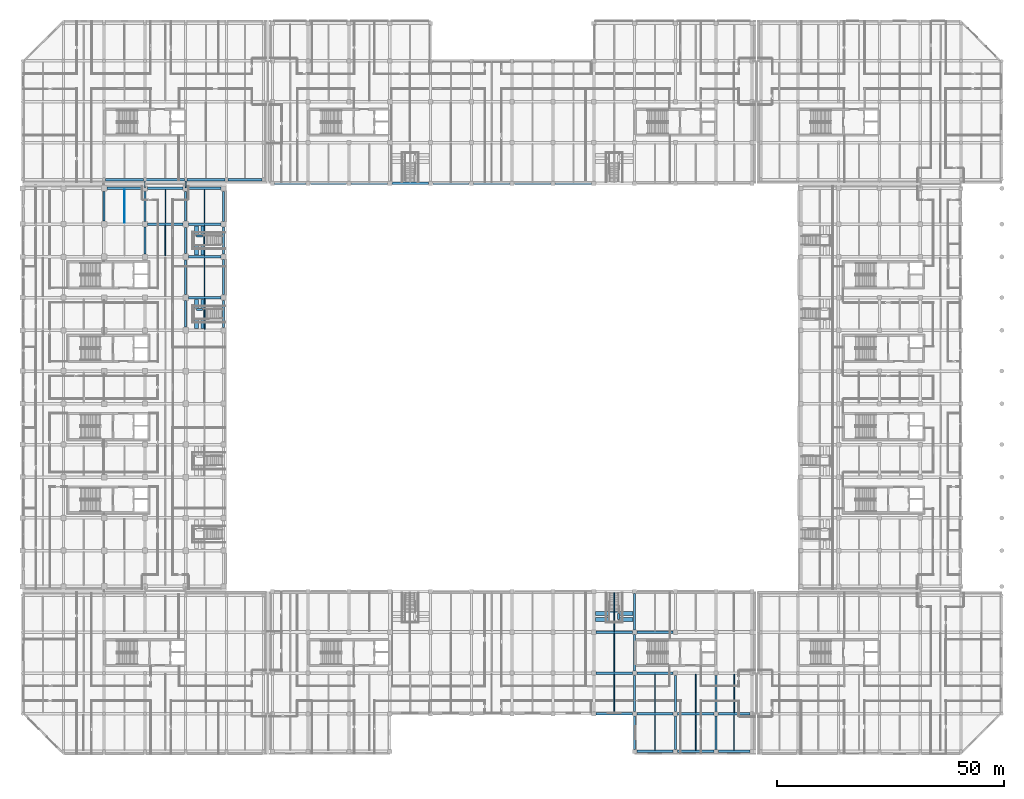
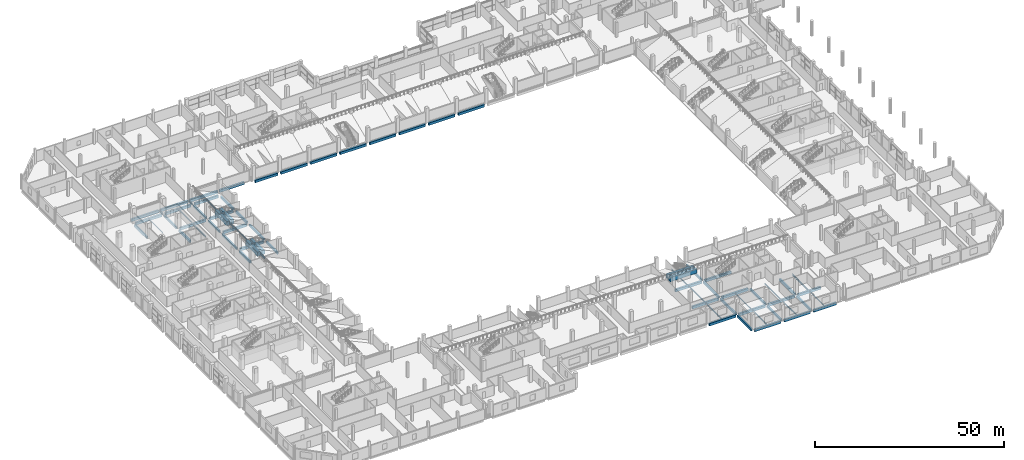
# One storey, part 19 of 100: 76 beams.
"""IFC4 building model written with IfcOpenShell, lengths in metres."""

from ifc_helpers import new_model, si_unit, direction, frame, origin, origin_2d, place, context, subcontext, project, spatial, rectangle, i_section, extrude, material, material_profile, profile_set, type_object, element, save


model = new_model("IFC4")

# Units and contexts
model_context = context("Model", 3, precision=1e-05, world=origin(), true_north=direction((0.0, 1.0)))
body_context = subcontext(model_context, "Body", "Model", "MODEL_VIEW")
ifc_project = project(units=[si_unit("LENGTHUNIT", "METRE"), si_unit("AREAUNIT", "SQUARE_METRE"), si_unit("VOLUMEUNIT", "CUBIC_METRE"), si_unit("PLANEANGLEUNIT", "RADIAN"), si_unit("MASSUNIT", "GRAM", prefix="KILO"), si_unit("THERMODYNAMICTEMPERATUREUNIT", "KELVIN"), si_unit("POWERUNIT", "WATT")], contexts=[model_context])

# Site, building, storey
site_placement = place(None, origin())
site = spatial("IfcSite", under=ifc_project, at=site_placement, CompositionType="ELEMENT")
building_placement = place(site_placement, origin())
building = spatial("IfcBuilding", under=site, at=building_placement, Name="Sindhuravela Promenade Stadium", CompositionType="ELEMENT")
storey_placement = place(building_placement, frame((0.0, 0.0, 4.800048828125)))
storey = spatial("IfcBuildingStorey", under=building, at=storey_placement, Name="L01", CompositionType="ELEMENT", Elevation=4.800048828125)

# Beams
ifc_material_1 = material(Name="Concrete M40", Category="concrete")
ifc_material_profile_1 = material_profile(ifc_material_1, rectangle(XDim=0.449951171875, YDim=0.699951171875, at=origin_2d()), Name="RC 450x700")
ifc_profile_set_1 = profile_set([ifc_material_profile_1], Name="Concrete M40")
beam_type_1 = type_object("IfcBeamType", Name="RC-BM-450x700", PredefinedType="BEAM", material=ifc_profile_set_1)
beam_1_placement = place(storey_placement, frame((18.0, 117.68994140625, -0.650146484375), z_axis=(0.0, 1.0, 0.0), x_axis=(-1.0, 0.0, 0.0)))
element("IfcBeam", 1, at=beam_1_placement, inside=storey, type_object=beam_type_1, Name="Primary beam GB07 WEST L01", PredefinedType="BEAM", context=body_context, shape_type="SweptSolid", body=[
    extrude(rectangle(XDim=0.449951171875, YDim=0.699951171875, at=origin_2d()), origin(), (0.0, 0.0, 1.0), 6.52001953125),
])
beam_2_placement = place(storey_placement, frame((27.0, 110.43994140625, -0.650146484375), z_axis=(0.0, 1.0, 0.0), x_axis=(-1.0, 0.0, 0.0)))
element("IfcBeam", 2, at=beam_2_placement, inside=storey, type_object=beam_type_1, Name="Primary beam GB07 WEST L01", PredefinedType="BEAM", context=body_context, shape_type="SweptSolid", body=[
    extrude(rectangle(XDim=0.449951171875, YDim=0.699951171875, at=origin_2d()), origin(), (0.0, 0.0, 1.0), 5.920166015625),
])
beam_3_placement = place(storey_placement, frame((27.0, 117.639892578125, -0.650146484375), z_axis=(0.0, 1.0, 0.0), x_axis=(-1.0, 0.0, 0.0)))
element("IfcBeam", 3, at=beam_3_placement, inside=storey, type_object=beam_type_1, Name="Primary beam GB07 WEST L01", PredefinedType="BEAM", context=body_context, shape_type="SweptSolid", body=[
    extrude(rectangle(XDim=0.449951171875, YDim=0.699951171875, at=origin_2d()), origin(), (0.0, 0.0, 1.0), 6.6201171875),
])
beam_4_placement = place(storey_placement, frame((36.0, 94.2900390625, -0.650146484375), z_axis=(0.0, 1.0, 0.0), x_axis=(-1.0, 0.0, 0.0)))
element("IfcBeam", 4, at=beam_4_placement, inside=storey, type_object=beam_type_1, Name="Primary beam GB07 WEST L01", PredefinedType="BEAM", context=body_context, shape_type="SweptSolid", body=[
    extrude(rectangle(XDim=0.449951171875, YDim=0.699951171875, at=origin_2d()), origin(), (0.0, 0.0, 1.0), 5.820068359375),
])
beam_5_placement = place(storey_placement, frame((36.0, 101.489990234375, -0.650146484375), z_axis=(0.0, 1.0, 0.0), x_axis=(-1.0, 0.0, 0.0)))
element("IfcBeam", 5, at=beam_5_placement, inside=storey, type_object=beam_type_1, Name="Primary beam GB07 WEST L01", PredefinedType="BEAM", context=body_context, shape_type="SweptSolid", body=[
    extrude(rectangle(XDim=0.449951171875, YDim=0.699951171875, at=origin_2d()), origin(), (0.0, 0.0, 1.0), 7.6201171875),
])
beam_6_placement = place(storey_placement, frame((36.0, 110.489990234375, -0.650146484375), z_axis=(0.0, 1.0, 0.0), x_axis=(-1.0, 0.0, 0.0)))
element("IfcBeam", 6, at=beam_6_placement, inside=storey, type_object=beam_type_1, Name="Primary beam GB07 WEST L01", PredefinedType="BEAM", context=body_context, shape_type="SweptSolid", body=[
    extrude(rectangle(XDim=0.449951171875, YDim=0.699951171875, at=origin_2d()), origin(), (0.0, 0.0, 1.0), 5.820068359375),
])
beam_7_placement = place(storey_placement, frame((36.0, 117.68994140625, -0.650146484375), z_axis=(0.0, 1.0, 0.0), x_axis=(-1.0, 0.0, 0.0)))
element("IfcBeam", 7, at=beam_7_placement, inside=storey, type_object=beam_type_1, Name="Primary beam GB07 WEST L01", PredefinedType="BEAM", context=body_context, shape_type="SweptSolid", body=[
    extrude(rectangle(XDim=0.449951171875, YDim=0.699951171875, at=origin_2d()), origin(), (0.0, 0.0, 1.0), 6.52001953125),
])
beam_8_placement = place(storey_placement, frame((44.300048828125, 94.239990234375, -0.650146484375), z_axis=(0.0, 1.0, 0.0), x_axis=(-1.0, 0.0, 0.0)))
element("IfcBeam", 8, at=beam_8_placement, inside=storey, type_object=beam_type_1, Name="Primary beam GB07 WEST L01", PredefinedType="BEAM", context=body_context, shape_type="SweptSolid", body=[
    extrude(rectangle(XDim=0.449951171875, YDim=0.699951171875, at=origin_2d()), origin(), (0.0, 0.0, 1.0), 5.919921875),
])
beam_9_placement = place(storey_placement, frame((44.300048828125, 101.43994140625, -0.650146484375), z_axis=(0.0, 1.0, 0.0), x_axis=(-1.0, 0.0, 0.0)))
element("IfcBeam", 9, at=beam_9_placement, inside=storey, type_object=beam_type_1, Name="Primary beam GB07 WEST L01", PredefinedType="BEAM", context=body_context, shape_type="SweptSolid", body=[
    extrude(rectangle(XDim=0.449951171875, YDim=0.699951171875, at=origin_2d()), origin(), (0.0, 0.0, 1.0), 7.719970703125),
])
beam_10_placement = place(storey_placement, frame((44.300048828125, 110.43994140625, -0.650146484375), z_axis=(0.0, 1.0, 0.0), x_axis=(-1.0, 0.0, 0.0)))
element("IfcBeam", 10, at=beam_10_placement, inside=storey, type_object=beam_type_1, Name="Primary beam GB07 WEST L01", PredefinedType="BEAM", context=body_context, shape_type="SweptSolid", body=[
    extrude(rectangle(XDim=0.449951171875, YDim=0.699951171875, at=origin_2d()), origin(), (0.0, 0.0, 1.0), 5.920166015625),
])
beam_11_placement = place(storey_placement, frame((44.300048828125, 117.639892578125, -0.650146484375), z_axis=(0.0, 1.0, 0.0), x_axis=(-1.0, 0.0, 0.0)))
element("IfcBeam", 11, at=beam_11_placement, inside=storey, type_object=beam_type_1, Name="Primary beam GB07 WEST L01", PredefinedType="BEAM", context=body_context, shape_type="SweptSolid", body=[
    extrude(rectangle(XDim=0.449951171875, YDim=0.699951171875, at=origin_2d()), origin(), (0.0, 0.0, 1.0), 6.6201171875),
])
beam_12_placement = place(storey_placement, frame((135.0, 1.18994140625, -0.650146484375), z_axis=(0.0, 1.0, 0.0), x_axis=(-1.0, 0.0, 0.0)))
element("IfcBeam", 12, at=beam_12_placement, inside=storey, type_object=beam_type_1, Name="Primary beam GB07 SOUTH L01", PredefinedType="BEAM", context=body_context, shape_type="SweptSolid", body=[
    extrude(rectangle(XDim=0.449951171875, YDim=0.699951171875, at=origin_2d()), origin(), (0.0, 0.0, 1.0), 7.320068359375),
])
for number, where, z_axis, x_axis, name in (
    (13, (135.0, 9.489990234375, -0.650146484375), (0.0, 1.0, 0.0), (-1.0, 0.0, 0.0), "Primary beam GB07 SOUTH L01"),
    (14, (135.0, 18.489990234375, -0.650146484375), (0.0, 1.0, 0.0), (-1.0, 0.0, 0.0), "Primary beam GB07 SOUTH L01"),
    (15, (135.0, 27.489990234375, -0.650146484375), (0.0, 1.0, 0.0), (-1.0, 0.0, 0.0), "Primary beam GB07 SOUTH L01"),
):
    element("IfcBeam", number, at=place(storey_placement, frame(where, z_axis=z_axis, x_axis=x_axis)), inside=storey, type_object=beam_type_1, Name=name, PredefinedType="BEAM", context=body_context, shape_type="SweptSolid", body=[
        extrude(rectangle(XDim=0.449951171875, YDim=0.699951171875, at=origin_2d()), origin(), (0.0, 0.0, 1.0), 8.02001953125),
    ])
beam_13_placement = place(storey_placement, frame((144.0, 1.18994140625, -0.650146484375), z_axis=(0.0, 1.0, 0.0), x_axis=(-1.0, 0.0, 0.0)))
element("IfcBeam", 16, at=beam_13_placement, inside=storey, type_object=beam_type_1, Name="Primary beam GB07 SOUTH L01", PredefinedType="BEAM", context=body_context, shape_type="SweptSolid", body=[
    extrude(rectangle(XDim=0.449951171875, YDim=0.699951171875, at=origin_2d()), origin(), (0.0, 0.0, 1.0), 7.320068359375),
])
beam_14_placement = place(storey_placement, frame((144.0, 9.489990234375, -0.650146484375), z_axis=(0.0, 1.0, 0.0), x_axis=(-1.0, 0.0, 0.0)))
element("IfcBeam", 17, at=beam_14_placement, inside=storey, type_object=beam_type_1, Name="Primary beam GB07 SOUTH L01", PredefinedType="BEAM", context=body_context, shape_type="SweptSolid", body=[
    extrude(rectangle(XDim=0.449951171875, YDim=0.699951171875, at=origin_2d()), origin(), (0.0, 0.0, 1.0), 8.02001953125),
])
beam_15_placement = place(storey_placement, frame((153.0, 1.18994140625, -0.650146484375), z_axis=(0.0, 1.0, 0.0), x_axis=(-1.0, 0.0, 0.0)))
element("IfcBeam", 18, at=beam_15_placement, inside=storey, type_object=beam_type_1, Name="Primary beam GB07 SOUTH L01", PredefinedType="BEAM", context=body_context, shape_type="SweptSolid", body=[
    extrude(rectangle(XDim=0.449951171875, YDim=0.699951171875, at=origin_2d()), origin(), (0.0, 0.0, 1.0), 7.320068359375),
])
beam_16_placement = place(storey_placement, frame((153.0, 9.489990234375, -0.650146484375), z_axis=(0.0, 1.0, 0.0), x_axis=(-1.0, 0.0, 0.0)))
element("IfcBeam", 19, at=beam_16_placement, inside=storey, type_object=beam_type_1, Name="Primary beam GB07 SOUTH L01", PredefinedType="BEAM", context=body_context, shape_type="SweptSolid", body=[
    extrude(rectangle(XDim=0.449951171875, YDim=0.699951171875, at=origin_2d()), origin(), (0.0, 0.0, 1.0), 8.02001953125),
])
for number, where, z_axis, x_axis, name in (
    (20, (39.75, 98.179931640625, 1.655029296875), (-1.0, 0.0, 0.0), (0.0, -1.0, 0.0), "Vomitory VS03 landing edge stringer"),
    (21, (39.75, 114.3798828125, 1.655029296875), (-1.0, 0.0, 0.0), (0.0, -1.0, 0.0), "Vomitory VS04 landing edge stringer"),
):
    element("IfcBeam", number, at=place(storey_placement, frame(where, z_axis=z_axis, x_axis=x_axis)), inside=storey, type_object=beam_type_1, Name=name, PredefinedType="BEAM", context=body_context, shape_type="SweptSolid", body=[
        extrude(rectangle(XDim=0.449951171875, YDim=0.699951171875, at=origin_2d()), origin(), (0.0, 0.0, 1.0), 1.35009765625),
    ])
beam_17_placement = place(storey_placement, frame((131.47998046875, 31.159912109375, 1.655029296875), z_axis=(0.0, -1.0, 0.0), x_axis=(1.0, 0.0, 0.0)))
element("IfcBeam", 22, at=beam_17_placement, inside=storey, type_object=beam_type_1, Name="Vomitory VS12 landing edge stringer", PredefinedType="BEAM", context=body_context, shape_type="SweptSolid", body=[
    extrude(rectangle(XDim=0.449951171875, YDim=0.699951171875, at=origin_2d()), origin(), (0.0, 0.0, 1.0), 1.349853515625),
])
ifc_material_profile_2 = material_profile(ifc_material_1, rectangle(XDim=0.550048828125, YDim=0.800048828125, at=origin_2d()), Name="RC 550x800")
ifc_profile_set_2 = profile_set([ifc_material_profile_2], Name="Concrete M40")
beam_type_2 = type_object("IfcBeamType", Name="RC-BM-550x800", PredefinedType="BEAM", material=ifc_profile_set_2)
for number, where, z_axis, x_axis, name in (
    (23, (36.590087890625, 100.800048828125, -0.699951171875), (1.0, 0.0, 0.0), (0.0, 1.0, 0.0), "Primary girder GB05 WEST L01"),
    (24, (36.590087890625, 109.800048828125, -0.699951171875), (1.0, 0.0, 0.0), (0.0, 1.0, 0.0), "Primary girder GB05 WEST L01"),
):
    element("IfcBeam", number, at=place(storey_placement, frame(where, z_axis=z_axis, x_axis=x_axis)), inside=storey, type_object=beam_type_2, Name=name, PredefinedType="BEAM", context=body_context, shape_type="SweptSolid", body=[
        extrude(rectangle(XDim=0.550048828125, YDim=0.800048828125, at=origin_2d()), origin(), (0.0, 0.0, 1.0), 7.169921875),
    ])
beam_18_placement = place(storey_placement, frame((27.5400390625, 117.0, -0.699951171875), z_axis=(1.0, 0.0, 0.0), x_axis=(0.0, 1.0, 0.0)))
element("IfcBeam", 25, at=beam_18_placement, inside=storey, type_object=beam_type_2, Name="Primary girder GB05 WEST L01", PredefinedType="BEAM", context=body_context, shape_type="SweptSolid", body=[
    extrude(rectangle(XDim=0.550048828125, YDim=0.800048828125, at=origin_2d()), origin(), (0.0, 0.0, 1.0), 7.869873046875),
])
beam_19_placement = place(storey_placement, frame((36.590087890625, 117.0, -0.699951171875), z_axis=(1.0, 0.0, 0.0), x_axis=(0.0, 1.0, 0.0)))
element("IfcBeam", 26, at=beam_19_placement, inside=storey, type_object=beam_type_2, Name="Primary girder GB05 WEST L01", PredefinedType="BEAM", context=body_context, shape_type="SweptSolid", body=[
    extrude(rectangle(XDim=0.550048828125, YDim=0.800048828125, at=origin_2d()), origin(), (0.0, 0.0, 1.0), 7.169921875),
])
for number, where, z_axis, x_axis, name in (
    (27, (18.590087890625, 124.89990234375, -0.699951171875), (1.0, 0.0, 0.0), (0.0, 1.0, 0.0), "Primary girder GB05 WEST L01"),
    (28, (27.5400390625, 124.89990234375, -0.699951171875), (1.0, 0.0, 0.0), (0.0, 1.0, 0.0), "Primary girder GB05 WEST L01"),
):
    element("IfcBeam", number, at=place(storey_placement, frame(where, z_axis=z_axis, x_axis=x_axis)), inside=storey, type_object=beam_type_2, Name=name, PredefinedType="BEAM", context=body_context, shape_type="SweptSolid", body=[
        extrude(rectangle(XDim=0.550048828125, YDim=0.800048828125, at=origin_2d()), origin(), (0.0, 0.0, 1.0), 7.869873046875),
    ])
beam_20_placement = place(storey_placement, frame((36.590087890625, 124.89990234375, -0.699951171875), z_axis=(1.0, 0.0, 0.0), x_axis=(0.0, 1.0, 0.0)))
element("IfcBeam", 29, at=beam_20_placement, inside=storey, type_object=beam_type_2, Name="Primary girder GB05 WEST L01", PredefinedType="BEAM", context=body_context, shape_type="SweptSolid", body=[
    extrude(rectangle(XDim=0.550048828125, YDim=0.800048828125, at=origin_2d()), origin(), (0.0, 0.0, 1.0), 7.169921875),
])
beam_21_placement = place(storey_placement, frame((55.590087890625, 126.0, -0.699951171875), z_axis=(1.0, 0.0, 0.0), x_axis=(0.0, 1.0, 0.0)))
element("IfcBeam", 30, at=beam_21_placement, inside=storey, type_object=beam_type_2, Name="Primary girder GB05 NORTH L01", PredefinedType="BEAM", context=body_context, shape_type="SweptSolid", body=[
    extrude(rectangle(XDim=0.550048828125, YDim=0.800048828125, at=origin_2d()), origin(), (0.0, 0.0, 1.0), 6.919921875),
])
for number, where, z_axis, x_axis, name in (
    (31, (63.489990234375, 126.0, -0.699951171875), (1.0, 0.0, 0.0), (0.0, 1.0, 0.0), "Primary girder GB05 NORTH L01"),
    (32, (72.489990234375, 126.0, -0.699951171875), (1.0, 0.0, 0.0), (0.0, 1.0, 0.0), "Primary girder GB05 NORTH L01"),
    (33, (81.489990234375, 126.0, -0.699951171875), (1.0, 0.0, 0.0), (0.0, 1.0, 0.0), "Primary girder GB05 NORTH L01"),
    (34, (90.489990234375, 126.0, -0.699951171875), (1.0, 0.0, 0.0), (0.0, 1.0, 0.0), "Primary girder GB05 NORTH L01"),
    (35, (99.489990234375, 126.0, -0.699951171875), (1.0, 0.0, 0.0), (0.0, 1.0, 0.0), "Primary girder GB05 NORTH L01"),
    (36, (108.489990234375, 126.0, -0.699951171875), (1.0, 0.0, 0.0), (0.0, 1.0, 0.0), "Primary girder GB05 NORTH L01"),
    (37, (117.489990234375, 126.0, -0.699951171875), (1.0, 0.0, 0.0), (0.0, 1.0, 0.0), "Primary girder GB05 NORTH L01"),
    (38, (135.489990234375, 0.699951171875, -0.699951171875), (1.0, 0.0, 0.0), (0.0, 1.0, 0.0), "Primary girder GB05 SOUTH L01"),
    (39, (144.489990234375, 0.699951171875, -0.699951171875), (1.0, 0.0, 0.0), (0.0, 1.0, 0.0), "Primary girder GB05 SOUTH L01"),
):
    element("IfcBeam", number, at=place(storey_placement, frame(where, z_axis=z_axis, x_axis=x_axis)), inside=storey, type_object=beam_type_2, Name=name, PredefinedType="BEAM", context=body_context, shape_type="SweptSolid", body=[
        extrude(rectangle(XDim=0.550048828125, YDim=0.800048828125, at=origin_2d()), origin(), (0.0, 0.0, 1.0), 8.02001953125),
    ])
beam_22_placement = place(storey_placement, frame((153.489990234375, 0.699951171875, -0.699951171875), z_axis=(1.0, 0.0, 0.0), x_axis=(0.0, 1.0, 0.0)))
element("IfcBeam", 40, at=beam_22_placement, inside=storey, type_object=beam_type_2, Name="Primary girder GB05 SOUTH L01", PredefinedType="BEAM", context=body_context, shape_type="SweptSolid", body=[
    extrude(rectangle(XDim=0.550048828125, YDim=0.800048828125, at=origin_2d()), origin(), (0.0, 0.0, 1.0), 6.919921875),
])
for number, where, z_axis, x_axis, name in (
    (41, (126.489990234375, 9.0, -0.699951171875), (1.0, 0.0, 0.0), (0.0, 1.0, 0.0), "Primary girder GB05 SOUTH L01"),
    (42, (135.489990234375, 9.0, -0.699951171875), (1.0, 0.0, 0.0), (0.0, 1.0, 0.0), "Primary girder GB05 SOUTH L01"),
    (43, (144.489990234375, 9.0, -0.699951171875), (1.0, 0.0, 0.0), (0.0, 1.0, 0.0), "Primary girder GB05 SOUTH L01"),
):
    element("IfcBeam", number, at=place(storey_placement, frame(where, z_axis=z_axis, x_axis=x_axis)), inside=storey, type_object=beam_type_2, Name=name, PredefinedType="BEAM", context=body_context, shape_type="SweptSolid", body=[
        extrude(rectangle(XDim=0.550048828125, YDim=0.800048828125, at=origin_2d()), origin(), (0.0, 0.0, 1.0), 8.02001953125),
    ])
beam_23_placement = place(storey_placement, frame((153.489990234375, 9.0, -0.699951171875), z_axis=(1.0, 0.0, 0.0), x_axis=(0.0, 1.0, 0.0)))
element("IfcBeam", 44, at=beam_23_placement, inside=storey, type_object=beam_type_2, Name="Primary girder GB05 SOUTH L01", PredefinedType="BEAM", context=body_context, shape_type="SweptSolid", body=[
    extrude(rectangle(XDim=0.550048828125, YDim=0.800048828125, at=origin_2d()), origin(), (0.0, 0.0, 1.0), 6.919921875),
])
for number, where, z_axis, x_axis, name in (
    (45, (126.489990234375, 18.0, -0.699951171875), (1.0, 0.0, 0.0), (0.0, 1.0, 0.0), "Primary girder GB05 SOUTH L01"),
    (46, (135.489990234375, 18.0, -0.699951171875), (1.0, 0.0, 0.0), (0.0, 1.0, 0.0), "Primary girder GB05 SOUTH L01"),
    (47, (126.489990234375, 27.0, -0.699951171875), (1.0, 0.0, 0.0), (0.0, 1.0, 0.0), "Primary girder GB05 SOUTH L01"),
    (48, (135.489990234375, 27.0, -0.699951171875), (1.0, 0.0, 0.0), (0.0, 1.0, 0.0), "Primary girder GB05 SOUTH L01"),
):
    element("IfcBeam", number, at=place(storey_placement, frame(where, z_axis=z_axis, x_axis=x_axis)), inside=storey, type_object=beam_type_2, Name=name, PredefinedType="BEAM", context=body_context, shape_type="SweptSolid", body=[
        extrude(rectangle(XDim=0.550048828125, YDim=0.800048828125, at=origin_2d()), origin(), (0.0, 0.0, 1.0), 8.02001953125),
    ])
for number, where, z_axis, x_axis, name in (
    (49, (18.2900390625, 126.85009765625, -0.699951171875), (1.0, 0.0, 0.0), (0.0, 1.0, 0.0), "Primary girder GB05 Pavilion NW L01"),
    (50, (27.2900390625, 126.85009765625, -0.699951171875), (1.0, 0.0, 0.0), (0.0, 1.0, 0.0), "Primary girder GB05 Pavilion NW L01"),
    (51, (36.2900390625, 126.85009765625, -0.699951171875), (1.0, 0.0, 0.0), (0.0, 1.0, 0.0), "Primary girder GB05 Pavilion NW L01"),
):
    element("IfcBeam", number, at=place(storey_placement, frame(where, z_axis=z_axis, x_axis=x_axis)), inside=storey, type_object=beam_type_2, Name=name, PredefinedType="BEAM", context=body_context, shape_type="SweptSolid", body=[
        extrude(rectangle(XDim=0.550048828125, YDim=0.800048828125, at=origin_2d()), origin(), (0.0, 0.0, 1.0), 8.419921875),
    ])
beam_24_placement = place(storey_placement, frame((45.2900390625, 126.85009765625, -0.699951171875), z_axis=(1.0, 0.0, 0.0), x_axis=(0.0, 1.0, 0.0)))
element("IfcBeam", 52, at=beam_24_placement, inside=storey, type_object=beam_type_2, Name="Primary girder GB05 Pavilion NW L01", PredefinedType="BEAM", context=body_context, shape_type="SweptSolid", body=[
    extrude(rectangle(XDim=0.550048828125, YDim=0.800048828125, at=origin_2d()), origin(), (0.0, 0.0, 1.0), 7.570068359375),
])
ifc_material_2 = material(Name="Concrete M50", Category="concrete")
ifc_material_profile_3 = material_profile(ifc_material_2, rectangle(XDim=0.85009765625, YDim=1.35009765625, at=origin_2d()), Name="RC 850x1350")
ifc_profile_set_3 = profile_set([ifc_material_profile_3], Name="Concrete M50")
beam_type_3 = type_object("IfcBeamType", Name="RC-RK-850x1350", PredefinedType="USERDEFINED", material=ifc_profile_set_3)
for number, where, z_axis, x_axis, name in (
    (53, (39.75, 94.014892578125, 1.329833984375), (0.0, 1.0, 0.0), (-1.0, 0.0, 0.0), "Vomitory VS03 landing trimmer beam 1"),
    (54, (38.39990234375, 94.014892578125, 1.329833984375), (0.0, 1.0, 0.0), (-1.0, 0.0, 0.0), "Vomitory VS03 landing trimmer beam 2"),
):
    element("IfcBeam", number, at=place(storey_placement, frame(where, z_axis=z_axis, x_axis=x_axis)), inside=storey, type_object=beam_type_3, Name=name, ObjectType="RAKER", PredefinedType="USERDEFINED", context=body_context, shape_type="SweptSolid", body=[
        extrude(rectangle(XDim=0.85009765625, YDim=1.35009765625, at=origin_2d()), origin(), (0.0, 0.0, 1.0), 6.3701171875),
    ])
for number, where, z_axis, x_axis, name in (
    (55, (39.75, 110.215087890625, 1.329833984375), (0.0, 1.0, 0.0), (-1.0, 0.0, 0.0), "Vomitory VS04 landing trimmer beam 1"),
    (56, (38.39990234375, 110.215087890625, 1.329833984375), (0.0, 1.0, 0.0), (-1.0, 0.0, 0.0), "Vomitory VS04 landing trimmer beam 2"),
):
    element("IfcBeam", number, at=place(storey_placement, frame(where, z_axis=z_axis, x_axis=x_axis)), inside=storey, type_object=beam_type_3, Name=name, ObjectType="RAKER", PredefinedType="USERDEFINED", context=body_context, shape_type="SweptSolid", body=[
        extrude(rectangle(XDim=0.85009765625, YDim=1.35009765625, at=origin_2d()), origin(), (0.0, 0.0, 1.0), 6.369873046875),
    ])
for number, where, z_axis, x_axis, name in (
    (57, (126.389892578125, 31.159912109375, 1.329833984375), (1.0, 0.0, 0.0), (0.0, 1.0, 0.0), "Vomitory VS12 landing trimmer beam 1"),
    (58, (126.389892578125, 29.81005859375, 1.329833984375), (1.0, 0.0, 0.0), (0.0, 1.0, 0.0), "Vomitory VS12 landing trimmer beam 2"),
):
    element("IfcBeam", number, at=place(storey_placement, frame(where, z_axis=z_axis, x_axis=x_axis)), inside=storey, type_object=beam_type_3, Name=name, ObjectType="RAKER", PredefinedType="USERDEFINED", context=body_context, shape_type="SweptSolid", body=[
        extrude(rectangle(XDim=0.85009765625, YDim=1.35009765625, at=origin_2d()), origin(), (0.0, 0.0, 1.0), 8.22021484375),
    ])
ifc_material_3 = material(Name="Steel E350 (IS 2062 E350BR)", Category="steel")
ifc_material_profile_4 = material_profile(ifc_material_3, i_section(OverallWidth=0.10009765625, OverallDepth=0.199951171875, WebThickness=0.005615234375, FlangeThickness=0.0107421875, FilletRadius=0.010986328125, at=origin_2d()), Name="ISMB 200")
ifc_profile_set_4 = profile_set([ifc_material_profile_4], Name="Steel E350 (IS 2062 E350BR)")
beam_type_4 = type_object("IfcBeamType", Name="ST-BM-MB200", PredefinedType="JOIST", material=ifc_profile_set_4)
beam_25_placement = place(storey_placement, frame((22.5, 117.264892578125, -0.400146484375), z_axis=(0.0, 1.0, 0.0), x_axis=(-1.0, 0.0, 0.0)))
element("IfcBeam", 59, at=beam_25_placement, inside=storey, type_object=beam_type_4, Name="Secondary floor joist SB01 WEST L01", PredefinedType="JOIST", context=body_context, shape_type="SweptSolid", body=[
    extrude(i_section(OverallWidth=0.10009765625, OverallDepth=0.199951171875, WebThickness=0.005615234375, FlangeThickness=0.0107421875, FilletRadius=0.010986328125, at=origin_2d()), origin(), (0.0, 0.0, 1.0), 7.3701171875),
])
ifc_material_profile_5 = material_profile(ifc_material_3, i_section(OverallWidth=0.125, OverallDepth=0.25, WebThickness=0.0068359375, FlangeThickness=0.012451171875, FilletRadius=0.012939453125, at=origin_2d()), Name="ISMB 250")
ifc_profile_set_5 = profile_set([ifc_material_profile_5], Name="Steel E350 (IS 2062 E350BR)")
beam_type_5 = type_object("IfcBeamType", Name="ST-BM-MB250", PredefinedType="JOIST", material=ifc_profile_set_5)
beam_26_placement = place(storey_placement, frame((40.14990234375, 101.06494140625, -0.425048828125), z_axis=(0.0, 1.0, 0.0), x_axis=(-1.0, 0.0, 0.0)))
element("IfcBeam", 60, at=beam_26_placement, inside=storey, type_object=beam_type_5, Name="Secondary floor joist SB02 WEST L01", PredefinedType="JOIST", context=body_context, shape_type="SweptSolid", body=[
    extrude(i_section(OverallWidth=0.125, OverallDepth=0.25, WebThickness=0.0068359375, FlangeThickness=0.012451171875, FilletRadius=0.012939453125, at=origin_2d()), origin(), (0.0, 0.0, 1.0), 8.469970703125),
])
beam_27_placement = place(storey_placement, frame((31.5, 117.264892578125, -0.425048828125), z_axis=(0.0, 1.0, 0.0), x_axis=(-1.0, 0.0, 0.0)))
element("IfcBeam", 61, at=beam_27_placement, inside=storey, type_object=beam_type_5, Name="Secondary floor joist SB02 WEST L01", PredefinedType="JOIST", context=body_context, shape_type="SweptSolid", body=[
    extrude(i_section(OverallWidth=0.125, OverallDepth=0.25, WebThickness=0.0068359375, FlangeThickness=0.012451171875, FilletRadius=0.012939453125, at=origin_2d()), origin(), (0.0, 0.0, 1.0), 7.3701171875),
])
beam_28_placement = place(storey_placement, frame((139.5, 0.965087890625, -0.425048828125), z_axis=(0.0, 1.0, 0.0), x_axis=(-1.0, 0.0, 0.0)))
element("IfcBeam", 62, at=beam_28_placement, inside=storey, type_object=beam_type_5, Name="Secondary floor joist SB02 SOUTH L01", PredefinedType="JOIST", context=body_context, shape_type="SweptSolid", body=[
    extrude(i_section(OverallWidth=0.125, OverallDepth=0.25, WebThickness=0.0068359375, FlangeThickness=0.012451171875, FilletRadius=0.012939453125, at=origin_2d()), origin(), (0.0, 0.0, 1.0), 7.77001953125),
])
ifc_material_profile_6 = material_profile(ifc_material_3, i_section(OverallWidth=0.139892578125, OverallDepth=0.300048828125, WebThickness=0.0078125, FlangeThickness=0.01318359375, FilletRadius=0.013916015625, at=origin_2d()), Name="ISMB 300")
ifc_profile_set_6 = profile_set([ifc_material_profile_6], Name="Steel E350 (IS 2062 E350BR)")
beam_type_6 = type_object("IfcBeamType", Name="ST-BM-MB300", PredefinedType="JOIST", material=ifc_profile_set_6)
beam_29_placement = place(storey_placement, frame((40.14990234375, 117.264892578125, -0.449951171875), z_axis=(0.0, 1.0, 0.0), x_axis=(-1.0, 0.0, 0.0)))
element("IfcBeam", 63, at=beam_29_placement, inside=storey, type_object=beam_type_6, Name="Secondary floor joist SB03 WEST L01", PredefinedType="JOIST", context=body_context, shape_type="SweptSolid", body=[
    extrude(i_section(OverallWidth=0.139892578125, OverallDepth=0.300048828125, WebThickness=0.0078125, FlangeThickness=0.01318359375, FilletRadius=0.013916015625, at=origin_2d()), origin(), (0.0, 0.0, 1.0), 7.3701171875),
])
beam_30_placement = place(storey_placement, frame((148.5, 0.965087890625, -0.449951171875), z_axis=(0.0, 1.0, 0.0), x_axis=(-1.0, 0.0, 0.0)))
element("IfcBeam", 64, at=beam_30_placement, inside=storey, type_object=beam_type_6, Name="Secondary floor joist SB03 SOUTH L01", PredefinedType="JOIST", context=body_context, shape_type="SweptSolid", body=[
    extrude(i_section(OverallWidth=0.139892578125, OverallDepth=0.300048828125, WebThickness=0.0078125, FlangeThickness=0.01318359375, FilletRadius=0.013916015625, at=origin_2d()), origin(), (0.0, 0.0, 1.0), 7.77001953125),
])
ifc_material_profile_7 = material_profile(ifc_material_3, i_section(OverallWidth=0.139892578125, OverallDepth=0.35009765625, WebThickness=0.008056640625, FlangeThickness=0.01416015625, FilletRadius=0.013916015625, at=origin_2d()), Name="ISMB 350")
ifc_profile_set_7 = profile_set([ifc_material_profile_7], Name="Steel E350 (IS 2062 E350BR)")
beam_type_7 = type_object("IfcBeamType", Name="ST-BM-MB350", PredefinedType="JOIST", material=ifc_profile_set_7)
beam_31_placement = place(storey_placement, frame((156.949951171875, 0.965087890625, -0.47509765625), z_axis=(0.0, 1.0, 0.0), x_axis=(-1.0, 0.0, 0.0)))
element("IfcBeam", 65, at=beam_31_placement, inside=storey, type_object=beam_type_7, Name="Secondary floor joist SB04 SOUTH L01", PredefinedType="JOIST", context=body_context, shape_type="SweptSolid", body=[
    extrude(i_section(OverallWidth=0.139892578125, OverallDepth=0.35009765625, WebThickness=0.008056640625, FlangeThickness=0.01416015625, FilletRadius=0.013916015625, at=origin_2d()), origin(), (0.0, 0.0, 1.0), 7.77001953125),
])
beam_32_placement = place(storey_placement, frame((130.5, 9.264892578125, -0.47509765625), z_axis=(0.0, 1.0, 0.0), x_axis=(-1.0, 0.0, 0.0)))
element("IfcBeam", 66, at=beam_32_placement, inside=storey, type_object=beam_type_7, Name="Secondary floor joist SB04 SOUTH L01", PredefinedType="JOIST", context=body_context, shape_type="SweptSolid", body=[
    extrude(i_section(OverallWidth=0.139892578125, OverallDepth=0.35009765625, WebThickness=0.008056640625, FlangeThickness=0.01416015625, FilletRadius=0.013916015625, at=origin_2d()), origin(), (0.0, 0.0, 1.0), 8.47021484375),
])
ifc_material_profile_8 = material_profile(ifc_material_3, i_section(OverallWidth=0.139892578125, OverallDepth=0.39990234375, WebThickness=0.0087890625, FlangeThickness=0.01611328125, FilletRadius=0.013916015625, at=origin_2d()), Name="ISMB 400")
ifc_profile_set_8 = profile_set([ifc_material_profile_8], Name="Steel E350 (IS 2062 E350BR)")
beam_type_8 = type_object("IfcBeamType", Name="ST-BM-MB400", PredefinedType="BEAM", material=ifc_profile_set_8)
for number, where, z_axis, x_axis, name in (
    (67, (139.5, 9.264892578125, -0.5), (0.0, 1.0, 0.0), (-1.0, 0.0, 0.0), "Secondary floor joist SB05 SOUTH L01"),
    (68, (130.5, 18.264892578125, -0.5), (0.0, 1.0, 0.0), (-1.0, 0.0, 0.0), "Secondary floor joist SB05 SOUTH L01"),
):
    element("IfcBeam", number, at=place(storey_placement, frame(where, z_axis=z_axis, x_axis=x_axis)), inside=storey, type_object=beam_type_8, Name=name, PredefinedType="BEAM", context=body_context, shape_type="SweptSolid", body=[
        extrude(i_section(OverallWidth=0.139892578125, OverallDepth=0.39990234375, WebThickness=0.0087890625, FlangeThickness=0.01611328125, FilletRadius=0.013916015625, at=origin_2d()), origin(), (0.0, 0.0, 1.0), 8.47021484375),
    ])
ifc_material_profile_9 = material_profile(ifc_material_3, i_section(OverallWidth=0.14990234375, OverallDepth=0.449951171875, WebThickness=0.009521484375, FlangeThickness=0.017333984375, FilletRadius=0.014892578125, at=origin_2d()), Name="ISMB 450")
ifc_profile_set_9 = profile_set([ifc_material_profile_9], Name="Steel E350 (IS 2062 E350BR)")
beam_type_9 = type_object("IfcBeamType", Name="ST-BM-MB450", PredefinedType="BEAM", material=ifc_profile_set_9)
beam_33_placement = place(storey_placement, frame((31.5, 110.06494140625, -0.525146484375), z_axis=(0.0, 1.0, 0.0), x_axis=(-1.0, 0.0, 0.0)))
element("IfcBeam", 69, at=beam_33_placement, inside=storey, type_object=beam_type_9, Name="Secondary floor joist SB06 WEST L01", PredefinedType="BEAM", context=body_context, shape_type="SweptSolid", body=[
    extrude(i_section(OverallWidth=0.14990234375, OverallDepth=0.449951171875, WebThickness=0.009521484375, FlangeThickness=0.017333984375, FilletRadius=0.014892578125, at=origin_2d()), origin(), (0.0, 0.0, 1.0), 6.670166015625),
])
for number, where, z_axis, x_axis, name in (
    (70, (148.5, 9.264892578125, -0.525146484375), (0.0, 1.0, 0.0), (-1.0, 0.0, 0.0), "Secondary floor joist SB06 SOUTH L01"),
    (71, (130.5, 27.264892578125, -0.525146484375), (0.0, 1.0, 0.0), (-1.0, 0.0, 0.0), "Secondary floor joist SB06 SOUTH L01"),
):
    element("IfcBeam", number, at=place(storey_placement, frame(where, z_axis=z_axis, x_axis=x_axis)), inside=storey, type_object=beam_type_9, Name=name, PredefinedType="BEAM", context=body_context, shape_type="SweptSolid", body=[
        extrude(i_section(OverallWidth=0.14990234375, OverallDepth=0.449951171875, WebThickness=0.009521484375, FlangeThickness=0.017333984375, FilletRadius=0.014892578125, at=origin_2d()), origin(), (0.0, 0.0, 1.0), 8.47021484375),
    ])
ifc_material_profile_10 = material_profile(ifc_material_3, i_section(OverallWidth=0.179931640625, OverallDepth=0.5, WebThickness=0.01025390625, FlangeThickness=0.01708984375, FilletRadius=0.01708984375, at=origin_2d()), Name="ISMB 500")
ifc_profile_set_10 = profile_set([ifc_material_profile_10], Name="Steel E350 (IS 2062 E350BR)")
beam_type_10 = type_object("IfcBeamType", Name="ST-BM-MB500", PredefinedType="BEAM", material=ifc_profile_set_10)
for number, where, z_axis, x_axis, name in (
    (72, (27.0, 125.0, -0.610107421875), (0.0, 1.0, 0.0), (-1.0, 0.0, 0.0), "Concourse link bridge L01 West-NW PTFE sliding girder L"),
    (73, (36.0, 125.0, -0.610107421875), (0.0, 1.0, 0.0), (-1.0, 0.0, 0.0), "Concourse link bridge L01 West-NW PTFE sliding girder R"),
):
    element("IfcBeam", number, at=place(storey_placement, frame(where, z_axis=z_axis, x_axis=x_axis)), inside=storey, type_object=beam_type_10, Name=name, PredefinedType="BEAM", context=body_context, shape_type="SweptSolid", body=[
        extrude(i_section(OverallWidth=0.179931640625, OverallDepth=0.5, WebThickness=0.01025390625, FlangeThickness=0.01708984375, FilletRadius=0.01708984375, at=origin_2d()), origin(), (0.0, 0.0, 1.0), 1.75),
    ])
ifc_material_profile_11 = material_profile(ifc_material_3, i_section(OverallWidth=0.18994140625, OverallDepth=0.550048828125, WebThickness=0.01123046875, FlangeThickness=0.019287109375, FilletRadius=0.01806640625, at=origin_2d()), Name="ISMB 550")
ifc_profile_set_11 = profile_set([ifc_material_profile_11], Name="Steel E350 (IS 2062 E350BR)")
beam_type_11 = type_object("IfcBeamType", Name="ST-BM-MB550", PredefinedType="SPANDREL", material=ifc_profile_set_11)
beam_34_placement = place(storey_placement, frame((40.14990234375, 110.06494140625, -0.574951171875), z_axis=(0.0, 1.0, 0.0), x_axis=(-1.0, 0.0, 0.0)))
element("IfcBeam", 74, at=beam_34_placement, inside=storey, type_object=beam_type_11, Name="Secondary floor joist SB08 WEST L01", PredefinedType="SPANDREL", context=body_context, shape_type="SweptSolid", body=[
    extrude(i_section(OverallWidth=0.18994140625, OverallDepth=0.550048828125, WebThickness=0.01123046875, FlangeThickness=0.019287109375, FilletRadius=0.01806640625, at=origin_2d()), origin(), (0.0, 0.0, 1.0), 6.670166015625),
])
beam_35_placement = place(storey_placement, frame((156.949951171875, 9.264892578125, -0.574951171875), z_axis=(0.0, 1.0, 0.0), x_axis=(-1.0, 0.0, 0.0)))
element("IfcBeam", 75, at=beam_35_placement, inside=storey, type_object=beam_type_11, Name="Secondary floor joist SB08 SOUTH L01", PredefinedType="SPANDREL", context=body_context, shape_type="SweptSolid", body=[
    extrude(i_section(OverallWidth=0.18994140625, OverallDepth=0.550048828125, WebThickness=0.01123046875, FlangeThickness=0.019287109375, FilletRadius=0.01806640625, at=origin_2d()), origin(), (0.0, 0.0, 1.0), 8.47021484375),
])
ifc_material_profile_12 = material_profile(ifc_material_3, i_section(OverallWidth=0.2099609375, OverallDepth=0.60009765625, WebThickness=0.011962890625, FlangeThickness=0.020751953125, FilletRadius=0.02001953125, at=origin_2d()), Name="ISMB 600")
ifc_profile_set_12 = profile_set([ifc_material_profile_12], Name="Steel E350 (IS 2062 E350BR)")
beam_type_12 = type_object("IfcBeamType", Name="ST-BM-MB600", PredefinedType="BEAM", material=ifc_profile_set_12)
beam_36_placement = place(storey_placement, frame((40.14990234375, 93.864990234375, -0.60009765625), z_axis=(0.0, 1.0, 0.0), x_axis=(-1.0, 0.0, 0.0)))
element("IfcBeam", 76, at=beam_36_placement, inside=storey, type_object=beam_type_12, Name="Secondary floor joist SB09 WEST L01", PredefinedType="BEAM", context=body_context, shape_type="SweptSolid", body=[
    extrude(i_section(OverallWidth=0.2099609375, OverallDepth=0.60009765625, WebThickness=0.011962890625, FlangeThickness=0.020751953125, FilletRadius=0.02001953125, at=origin_2d()), origin(), (0.0, 0.0, 1.0), 6.669921875),
])

save(model, "model.ifc")
